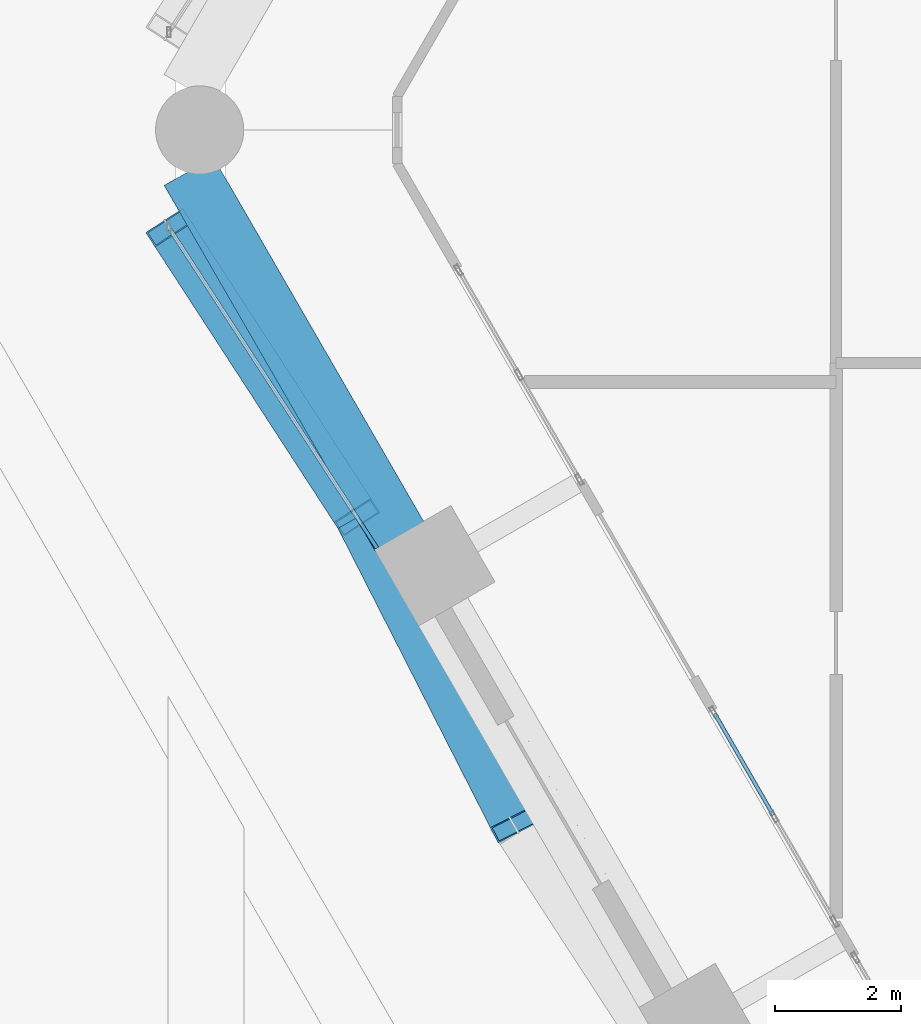
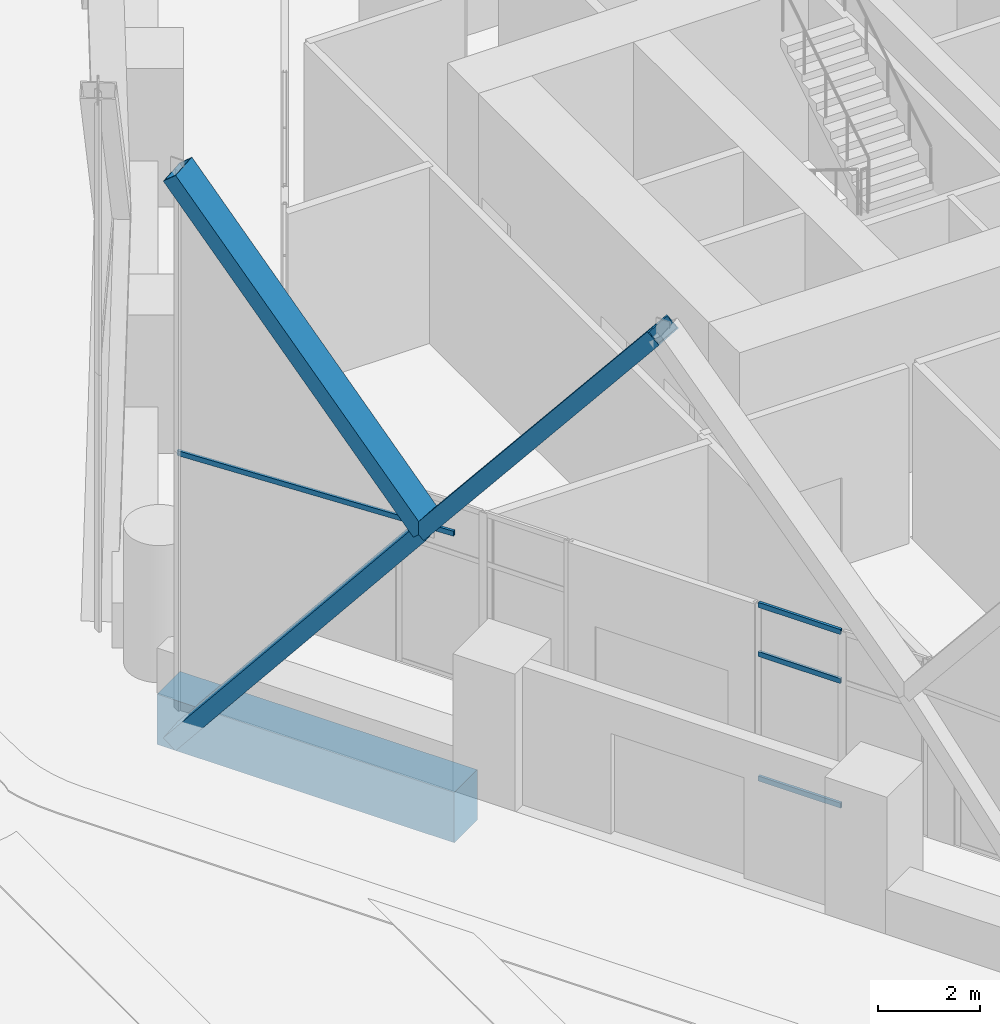
# One storey, part 18 of 71: 7 members, 1 beam, 2 elements without a shape of their own.
"""IFC4 building model written with IfcOpenShell, lengths in metres."""

from ifc_helpers import new_model, si_unit, direction, frame, origin, origin_2d, place, context, subcontext, project, spatial, rectangle, hollow_rectangle, extrude, material, material_profile, profile_set, type_object, element, aggregate, save


model = new_model("IFC4")

# Units and contexts
model_context = context("Model", 3, precision=1e-05, world=origin(), true_north=direction((0.0, 1.0)))
body_context = subcontext(model_context, "Body", "Model", "MODEL_VIEW")
ifc_project = project(units=[si_unit("LENGTHUNIT", "METRE"), si_unit("AREAUNIT", "SQUARE_METRE"), si_unit("VOLUMEUNIT", "CUBIC_METRE"), si_unit("PLANEANGLEUNIT", "RADIAN"), si_unit("MASSUNIT", "GRAM", prefix="KILO")], contexts=[model_context])

# Site, building, storey
site_placement = place(None, origin())
site = spatial("IfcSite", under=ifc_project, at=site_placement, CompositionType="ELEMENT")
building_placement = place(site_placement, origin())
building = spatial("IfcBuilding", under=site, at=building_placement, Name="Ostrander Bayou Hotel Tower", CompositionType="ELEMENT")
storey_placement = place(building_placement, frame((0.0, 0.0, 10.0)))
storey = spatial("IfcBuildingStorey", under=building, at=storey_placement, Name="L02", CompositionType="ELEMENT", Elevation=10.0)

# Curtain wall, member
ifc_material_1 = material(Name="Aluminium and clear glass", Category="aluminium")
curtain_wall_type_1 = type_object("IfcCurtainWallType", Name="CW-LAT lattice glazing", PredefinedType="NOTDEFINED", material=ifc_material_1)
curtain_wall_1_placement = place(storey_placement, origin())
curtain_wall_1 = element("IfcCurtainWall", 1, at=curtain_wall_1_placement, inside=storey, type_object=curtain_wall_type_1, Name="CW-LAT L02 SW 2", PredefinedType="NOTDEFINED")
ifc_material_2 = material(Name="Aluminium", Category="aluminium")
ifc_material_profile_1 = material_profile(ifc_material_2, hollow_rectangle(XDim=0.06005859375, YDim=0.1201171875, WallThickness=0.00390625, at=origin_2d()))
ifc_profile_set_1 = profile_set([ifc_material_profile_1], Name="Aluminium")
member_type_1 = type_object("IfcMemberType", Name="CW-LA transom 60 x 120 mm", PredefinedType="USERDEFINED", material=ifc_profile_set_1)
member_1_placement = place(storey_placement, frame((-24.58837890625, -1.551513671875, 6.14990234375), z_axis=(0.544652890505, -0.838661569922, 0.0), x_axis=(0.838661569922, 0.544652890505, 0.0)))
member_1 = element("IfcMember", 2, at=member_1_placement, type_object=member_type_1, Name="CW-LAT transom 3", ObjectType="TRANSOM", PredefinedType="USERDEFINED", context=body_context, shape_type="SweptSolid", body=[
    extrude(hollow_rectangle(XDim=0.06005859375, YDim=0.1201171875, WallThickness=0.00390625, at=origin_2d()), origin(), (0.0, 0.0, 1.0), 6.0634765625),
])
aggregate(curtain_wall_1, [member_1])

# Curtain wall, members
ifc_material_3 = material(Name="Aluminium and clear glass", Category="aluminium")
curtain_wall_type_2 = type_object("IfcCurtainWallType", Name="CW-SKY amenity glass wall", PredefinedType="NOTDEFINED", material=ifc_material_3)
curtain_wall_2_placement = place(storey_placement, origin())
curtain_wall_2 = element("IfcCurtainWall", 3, at=curtain_wall_2_placement, inside=storey, type_object=curtain_wall_type_2, Name="CW-SKY L02 SW 3", PredefinedType="NOTDEFINED")
ifc_material_4 = material(Name="Aluminium", Category="aluminium")
ifc_material_profile_2 = material_profile(ifc_material_4, hollow_rectangle(XDim=0.06005859375, YDim=0.1201171875, WallThickness=0.00390625, at=origin_2d()))
ifc_profile_set_2 = profile_set([ifc_material_profile_2], Name="Aluminium")
member_type_2 = type_object("IfcMemberType", Name="CW-SK transom 60 x 120 mm", PredefinedType="USERDEFINED", material=ifc_profile_set_2)
member_2_placement = place(storey_placement, frame((-15.926513671875, -9.264404296875, 0.030029296875), z_axis=(0.499964847546, -0.866045698112, 0.0), x_axis=(0.866045698112, 0.499964847546, 0.0)))
member_2 = element("IfcMember", 4, at=member_2_placement, type_object=member_type_2, Name="CW-SKY transom 1.1", ObjectType="TRANSOM", PredefinedType="USERDEFINED", context=body_context, shape_type="SweptSolid", body=[
    extrude(hollow_rectangle(XDim=0.06005859375, YDim=0.1201171875, WallThickness=0.00390625, at=origin_2d()), origin(), (0.0, 0.0, 1.0), 1.860107421875),
])
member_3_placement = place(storey_placement, frame((-15.926513671875, -9.264404296875, 3.0), z_axis=(0.499964847546, -0.866045698112, 0.0), x_axis=(0.866045698112, 0.499964847546, 0.0)))
member_3 = element("IfcMember", 5, at=member_3_placement, type_object=member_type_2, Name="CW-SKY transom 1.2", ObjectType="TRANSOM", PredefinedType="USERDEFINED", context=body_context, shape_type="SweptSolid", body=[
    extrude(hollow_rectangle(XDim=0.06005859375, YDim=0.1201171875, WallThickness=0.00390625, at=origin_2d()), origin(), (0.0, 0.0, 1.0), 1.860107421875),
])
member_4_placement = place(storey_placement, frame((-15.926513671875, -9.264404296875, 4.169921875), z_axis=(0.499964847546, -0.866045698112, 0.0), x_axis=(0.866045698112, 0.499964847546, 0.0)))
member_4 = element("IfcMember", 6, at=member_4_placement, type_object=member_type_2, Name="CW-SKY transom 1.3", ObjectType="TRANSOM", PredefinedType="USERDEFINED", context=body_context, shape_type="SweptSolid", body=[
    extrude(hollow_rectangle(XDim=0.06005859375, YDim=0.1201171875, WallThickness=0.00390625, at=origin_2d()), origin(), (0.0, 0.0, 1.0), 1.860107421875),
])
aggregate(curtain_wall_2, [member_2, member_3, member_4])

# Members
ifc_material_5 = material(Name="Steel ASTM A572 Gr 50", Category="steel")
ifc_material_profile_3 = material_profile(ifc_material_5, hollow_rectangle(XDim=0.699951171875, YDim=0.35009765625, WallThickness=0.02490234375, at=origin_2d()))
ifc_profile_set_3 = profile_set([ifc_material_profile_3], Name="Steel ASTM A572 Gr 50")
member_type_3 = type_object("IfcMemberType", Name="LT1 lattice member box 700 x 350 x 25 mm", PredefinedType="BRACE", material=ifc_profile_set_3)
for number, where, z_axis, x_axis, name in (
    (7, (-21.602294921875, -6.14990234375, 6.14990234375), (-0.343376932244, 0.528779700664, -0.776198628296), (-0.838682608864, -0.544620493178, 0.0), "LT1 L02 SW 1"),
    (8, (-21.602294921875, -6.14990234375, 6.14990234375), (-0.343376932244, 0.528779700664, 0.776198628296), (-0.838682608864, -0.544620493178, 0.0), "LT1 L02 SW 2"),
):
    element("IfcMember", number, at=place(storey_placement, frame(where, z_axis=z_axis, x_axis=x_axis)), inside=storey, type_object=member_type_3, Name=name, PredefinedType="BRACE", context=body_context, shape_type="SweptSolid", body=[
        extrude(hollow_rectangle(XDim=0.699951171875, YDim=0.35009765625, WallThickness=0.02490234375, at=origin_2d()), origin(), (0.0, 0.0, 1.0), 8.6962890625),
    ])
member_5_placement = place(storey_placement, frame((-21.602294921875, -6.14990234375, 6.14990234375), z_axis=(0.28622400012, -0.561751448592, 0.776215905377), x_axis=(0.891008230346, 0.453987151201, 0.0)))
element("IfcMember", 9, at=member_5_placement, inside=storey, type_object=member_type_3, Name="LT1 L02 SW 3", PredefinedType="BRACE", context=body_context, shape_type="SweptSolid", body=[
    extrude(hollow_rectangle(XDim=0.699951171875, YDim=0.35009765625, WallThickness=0.02490234375, at=origin_2d()), origin(), (0.0, 0.0, 1.0), 8.696044921875),
])

# Beam
ifc_material_6 = material(Name="Concrete f'c 70 MPa", Category="concrete")
ifc_material_profile_4 = material_profile(ifc_material_6, rectangle(XDim=0.89990234375, YDim=1.199951171875, at=origin_2d()))
ifc_profile_set_4 = profile_set([ifc_material_profile_4], Name="Concrete f'c 70 MPa")
beam_type = type_object("IfcBeamType", Name="SP1 spandrel beam 900 x 1200 mm f'c 70 MPa", PredefinedType="SPANDREL", material=ifc_profile_set_4)
beam_placement = place(storey_placement, frame((-24.274169921875, -0.656005859375, -0.60009765625), z_axis=(0.500005133765, -0.866022439784, 0.0), x_axis=(0.866022439784, 0.500005133765, 0.0)))
element("IfcBeam", 10, at=beam_placement, inside=storey, type_object=beam_type, Name="SP1 L02 SW-1", PredefinedType="SPANDREL", context=body_context, shape_type="SweptSolid", body=[
    extrude(rectangle(XDim=0.89990234375, YDim=1.199951171875, at=origin_2d()), origin(), (0.0, 0.0, 1.0), 6.70361328125),
])

save(model, "model.ifc")
